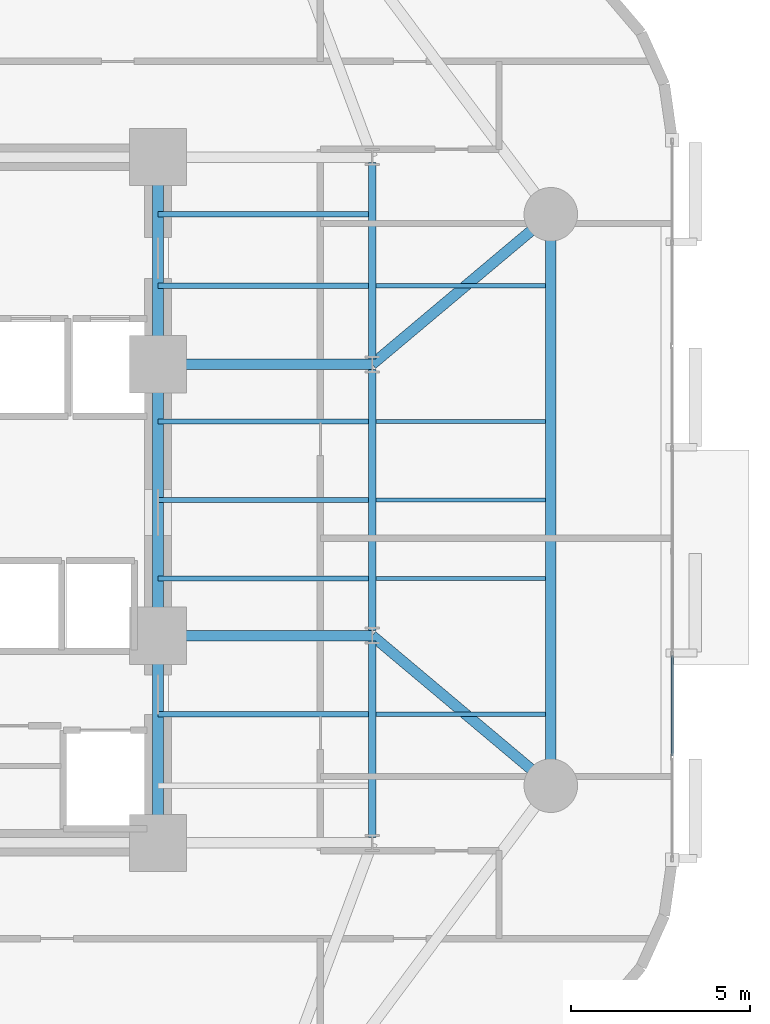
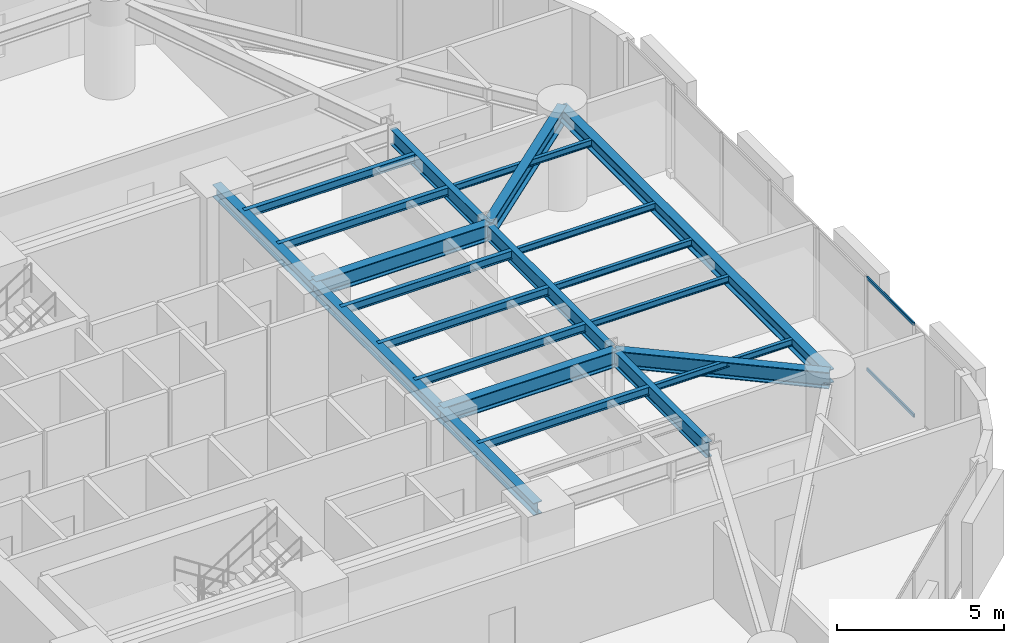
# One storey, part 5 of 16: 22 beams, 2 members, 1 element without a shape of its own.
"""IFC4 building model written with IfcOpenShell, lengths in metres."""

from ifc_helpers import new_model, si_unit, direction, frame, origin, origin_2d, place, context, subcontext, project, spatial, hollow_rectangle, i_section, extrude, material, layer, layer_set, material_profile, profile_set, type_object, element, aggregate, save


model = new_model("IFC4")

# Units and contexts
model_context = context("Model", 3, precision=1e-05, world=origin(), true_north=direction((0.0, 1.0)))
body_context = subcontext(model_context, "Body", "Model", "MODEL_VIEW")
ifc_project = project(units=[si_unit("LENGTHUNIT", "METRE"), si_unit("AREAUNIT", "SQUARE_METRE"), si_unit("VOLUMEUNIT", "CUBIC_METRE"), si_unit("PLANEANGLEUNIT", "RADIAN"), si_unit("MASSUNIT", "GRAM", prefix="KILO")], contexts=[model_context])

# Site, building, storey
site_placement = place(None, origin())
site = spatial("IfcSite", under=ifc_project, at=site_placement, CompositionType="ELEMENT")
building_placement = place(site_placement, origin())
building = spatial("IfcBuilding", under=site, at=building_placement, Name="An Khanh Terracotta Commons", CompositionType="ELEMENT")
storey_placement = place(building_placement, frame((0.0, 0.0, 39.60009765625)))
storey = spatial("IfcBuildingStorey", under=building, at=storey_placement, Name="L10", CompositionType="ELEMENT", Elevation=39.60009765625)

# Beams
ifc_material_1 = material(Name="Steel S355J2", Category="steel")
ifc_material_profile_1 = material_profile(ifc_material_1, i_section(OverallWidth=0.300048828125, OverallDepth=0.449951171875, WebThickness=0.013916015625, FlangeThickness=0.02587890625, FilletRadius=0.027099609375, at=origin_2d()), Name="HEB450")
ifc_profile_set_1 = profile_set([ifc_material_profile_1], Name="Steel S355J2")
beam_type_1 = type_object("IfcBeamType", Name="BM-HEB450", PredefinedType="BEAM", material=ifc_profile_set_1)
beam_1_placement = place(storey_placement, frame((37.199951171875, 14.39990234375, 3.1748046875), z_axis=(0.0, 1.0, 0.0), x_axis=(-1.0, 0.0, 0.0)))
element("IfcBeam", 1, at=beam_1_placement, inside=storey, type_object=beam_type_1, Name="L10 Core East Coupling Girder 1", PredefinedType="BEAM", context=body_context, shape_type="SweptSolid", body=[
    extrude(i_section(OverallWidth=0.300048828125, OverallDepth=0.449951171875, WebThickness=0.013916015625, FlangeThickness=0.02587890625, FilletRadius=0.027099609375, at=origin_2d()), origin(), (0.0, 0.0, 1.0), 5.800048828125),
])
beam_2_placement = place(storey_placement, frame((37.199951171875, 20.199951171875, 3.1748046875), z_axis=(0.0, 1.0, 0.0), x_axis=(-1.0, 0.0, 0.0)))
element("IfcBeam", 2, at=beam_2_placement, inside=storey, type_object=beam_type_1, Name="L10 Core East Coupling Girder 2", PredefinedType="BEAM", context=body_context, shape_type="SweptSolid", body=[
    extrude(i_section(OverallWidth=0.300048828125, OverallDepth=0.449951171875, WebThickness=0.013916015625, FlangeThickness=0.02587890625, FilletRadius=0.027099609375, at=origin_2d()), origin(), (0.0, 0.0, 1.0), 7.60009765625),
])
beam_3_placement = place(storey_placement, frame((37.199951171875, 27.800048828125, 3.1748046875), z_axis=(0.0, 1.0, 0.0), x_axis=(-1.0, 0.0, 0.0)))
element("IfcBeam", 3, at=beam_3_placement, inside=storey, type_object=beam_type_1, Name="L10 Core East Coupling Girder 3", PredefinedType="BEAM", context=body_context, shape_type="SweptSolid", body=[
    extrude(i_section(OverallWidth=0.300048828125, OverallDepth=0.449951171875, WebThickness=0.013916015625, FlangeThickness=0.02587890625, FilletRadius=0.027099609375, at=origin_2d()), origin(), (0.0, 0.0, 1.0), 5.800048828125),
])
ifc_material_profile_2 = material_profile(ifc_material_1, i_section(OverallWidth=0.300048828125, OverallDepth=0.5, WebThickness=0.014404296875, FlangeThickness=0.028076171875, FilletRadius=0.027099609375, at=origin_2d()), Name="HEB500")
ifc_profile_set_2 = profile_set([ifc_material_profile_2], Name="Steel S355J2")
beam_type_2 = type_object("IfcBeamType", Name="BM-HEB500", PredefinedType="BEAM", material=ifc_profile_set_2)
beam_4_placement = place(storey_placement, frame((48.199951171875, 16.0, 3.14990234375), z_axis=(0.0, 1.0, 0.0), x_axis=(-1.0, 0.0, 0.0)))
element("IfcBeam", 4, at=beam_4_placement, inside=storey, type_object=beam_type_2, Name="L10 Perimeter Ring Spandrel 3", PredefinedType="BEAM", context=body_context, shape_type="SweptSolid", body=[
    extrude(i_section(OverallWidth=0.300048828125, OverallDepth=0.5, WebThickness=0.014404296875, FlangeThickness=0.028076171875, FilletRadius=0.027099609375, at=origin_2d()), origin(), (0.0, 0.0, 1.0), 16.0),
])
ifc_material_profile_3 = material_profile(ifc_material_1, i_section(OverallWidth=0.300048828125, OverallDepth=0.60009765625, WebThickness=0.015380859375, FlangeThickness=0.030029296875, FilletRadius=0.027099609375, at=origin_2d()), Name="HEB600")
ifc_profile_set_3 = profile_set([ifc_material_profile_3], Name="Steel S355J2")
beam_type_3 = type_object("IfcBeamType", Name="BM-HEB600", PredefinedType="BEAM", material=ifc_profile_set_3)
for number, where, z_axis, x_axis, name in (
    (5, (37.199951171875, 20.199951171875, 3.099853515625), (1.0, 0.0, 0.0), (0.0, 1.0, 0.0), "L10 East Primary Floor Girder 2"),
    (6, (37.199951171875, 27.800048828125, 3.099853515625), (1.0, 0.0, 0.0), (0.0, 1.0, 0.0), "L10 East Primary Floor Girder 3"),
):
    element("IfcBeam", number, at=place(storey_placement, frame(where, z_axis=z_axis, x_axis=x_axis)), inside=storey, type_object=beam_type_3, Name=name, PredefinedType="BEAM", context=body_context, shape_type="SweptSolid", body=[
        extrude(i_section(OverallWidth=0.300048828125, OverallDepth=0.60009765625, WebThickness=0.015380859375, FlangeThickness=0.030029296875, FilletRadius=0.027099609375, at=origin_2d()), origin(), (0.0, 0.0, 1.0), 6.0),
    ])
for number, where, z_axis, x_axis, name in (
    (7, (48.199951171875, 16.0, 3.099853515625), (-0.765708547471, 0.643187702253, 0.0), (-0.643187702253, -0.765708547471, 0.0), "L10 Mega-Column Tie Girder 3"),
    (8, (48.199951171875, 32.0, 3.099853515625), (-0.765708547471, -0.643187702253, 0.0), (0.643187702253, -0.765708547471, 0.0), "L10 Mega-Column Tie Girder 4"),
):
    element("IfcBeam", number, at=place(storey_placement, frame(where, z_axis=z_axis, x_axis=x_axis)), inside=storey, type_object=beam_type_3, Name=name, PredefinedType="BEAM", context=body_context, shape_type="SweptSolid", body=[
        extrude(i_section(OverallWidth=0.300048828125, OverallDepth=0.60009765625, WebThickness=0.015380859375, FlangeThickness=0.030029296875, FilletRadius=0.027099609375, at=origin_2d()), origin(), (0.0, 0.0, 1.0), 6.52978515625),
    ])
ifc_material_profile_4 = material_profile(ifc_material_1, i_section(OverallWidth=0.1201171875, OverallDepth=0.239990234375, WebThickness=0.006103515625, FlangeThickness=0.009765625, FilletRadius=0.014892578125, at=origin_2d()), Name="IPE240")
ifc_profile_set_4 = profile_set([ifc_material_profile_4], Name="Steel S355J2")
beam_type_4 = type_object("IfcBeamType", Name="BM-IPE240", PredefinedType="JOIST", material=ifc_profile_set_4)
for number, where, z_axis, x_axis, name in (
    (9, (43.304931640625, 18.0, 3.27978515625), (1.0, 0.0, 0.0), (0.0, 1.0, 0.0), "L10 Riverfront Composite Joist 2"),
    (10, (43.304931640625, 21.800048828125, 3.27978515625), (1.0, 0.0, 0.0), (0.0, 1.0, 0.0), "L10 Riverfront Composite Joist 3"),
    (11, (43.304931640625, 24.0, 3.27978515625), (1.0, 0.0, 0.0), (0.0, 1.0, 0.0), "L10 Riverfront Composite Joist 4"),
    (12, (43.304931640625, 26.199951171875, 3.27978515625), (1.0, 0.0, 0.0), (0.0, 1.0, 0.0), "L10 Riverfront Composite Joist 5"),
    (13, (43.304931640625, 30.0, 3.27978515625), (1.0, 0.0, 0.0), (0.0, 1.0, 0.0), "L10 Riverfront Composite Joist 6"),
):
    element("IfcBeam", number, at=place(storey_placement, frame(where, z_axis=z_axis, x_axis=x_axis)), inside=storey, type_object=beam_type_4, Name=name, PredefinedType="JOIST", context=body_context, shape_type="SweptSolid", body=[
        extrude(i_section(OverallWidth=0.1201171875, OverallDepth=0.239990234375, WebThickness=0.006103515625, FlangeThickness=0.009765625, FilletRadius=0.014892578125, at=origin_2d()), origin(), (0.0, 0.0, 1.0), 4.7451171875),
    ])
ifc_material_profile_5 = material_profile(ifc_material_1, i_section(OverallWidth=0.14990234375, OverallDepth=0.300048828125, WebThickness=0.007080078125, FlangeThickness=0.0107421875, FilletRadius=0.014892578125, at=origin_2d()), Name="IPE300")
ifc_profile_set_5 = profile_set([ifc_material_profile_5], Name="Steel S355J2")
beam_type_5 = type_object("IfcBeamType", Name="BM-IPE300", PredefinedType="JOIST", material=ifc_profile_set_5)
for number, where, z_axis, x_axis, name in (
    (14, (37.199951171875, 18.0, 3.25), (1.0, 0.0, 0.0), (0.0, 1.0, 0.0), "L10 Inboard Composite Joist 2"),
    (15, (37.199951171875, 21.800048828125, 3.25), (1.0, 0.0, 0.0), (0.0, 1.0, 0.0), "L10 Inboard Composite Joist 3"),
    (16, (37.199951171875, 24.0, 3.25), (1.0, 0.0, 0.0), (0.0, 1.0, 0.0), "L10 Inboard Composite Joist 4"),
    (17, (37.199951171875, 26.199951171875, 3.25), (1.0, 0.0, 0.0), (0.0, 1.0, 0.0), "L10 Inboard Composite Joist 5"),
    (18, (37.199951171875, 30.0, 3.25), (1.0, 0.0, 0.0), (0.0, 1.0, 0.0), "L10 Inboard Composite Joist 6"),
    (19, (37.199951171875, 32.0, 3.25), (1.0, 0.0, 0.0), (0.0, 1.0, 0.0), "L10 Inboard Composite Joist 7"),
):
    element("IfcBeam", number, at=place(storey_placement, frame(where, z_axis=z_axis, x_axis=x_axis)), inside=storey, type_object=beam_type_5, Name=name, PredefinedType="JOIST", context=body_context, shape_type="SweptSolid", body=[
        extrude(i_section(OverallWidth=0.14990234375, OverallDepth=0.300048828125, WebThickness=0.007080078125, FlangeThickness=0.0107421875, FilletRadius=0.014892578125, at=origin_2d()), origin(), (0.0, 0.0, 1.0), 5.89501953125),
    ])
ifc_material_profile_6 = material_profile(ifc_material_1, i_section(OverallWidth=0.2099609375, OverallDepth=0.550048828125, WebThickness=0.010986328125, FlangeThickness=0.01708984375, FilletRadius=0.02392578125, at=origin_2d()), Name="IPE550")
ifc_profile_set_6 = profile_set([ifc_material_profile_6], Name="Steel S355J2")
beam_type_6 = type_object("IfcBeamType", Name="BM-IPE550", PredefinedType="BEAM", material=ifc_profile_set_6)
beam_5_placement = place(storey_placement, frame((43.199951171875, 14.550048828125, 3.125), z_axis=(0.0, 1.0, 0.0), x_axis=(-1.0, 0.0, 0.0)))
element("IfcBeam", 20, at=beam_5_placement, inside=storey, type_object=beam_type_6, Name="L10 East Spine Girder 1", PredefinedType="BEAM", context=body_context, shape_type="SweptSolid", body=[
    extrude(i_section(OverallWidth=0.2099609375, OverallDepth=0.550048828125, WebThickness=0.010986328125, FlangeThickness=0.01708984375, FilletRadius=0.02392578125, at=origin_2d()), origin(), (0.0, 0.0, 1.0), 5.5),
])
beam_6_placement = place(storey_placement, frame((43.199951171875, 20.35009765625, 3.125), z_axis=(0.0, 1.0, 0.0), x_axis=(-1.0, 0.0, 0.0)))
element("IfcBeam", 21, at=beam_6_placement, inside=storey, type_object=beam_type_6, Name="L10 East Spine Girder 2", PredefinedType="BEAM", context=body_context, shape_type="SweptSolid", body=[
    extrude(i_section(OverallWidth=0.2099609375, OverallDepth=0.550048828125, WebThickness=0.010986328125, FlangeThickness=0.01708984375, FilletRadius=0.02392578125, at=origin_2d()), origin(), (0.0, 0.0, 1.0), 7.2998046875),
])
beam_7_placement = place(storey_placement, frame((43.199951171875, 27.949951171875, 3.125), z_axis=(0.0, 1.0, 0.0), x_axis=(-1.0, 0.0, 0.0)))
element("IfcBeam", 22, at=beam_7_placement, inside=storey, type_object=beam_type_6, Name="L10 East Spine Girder 3", PredefinedType="BEAM", context=body_context, shape_type="SweptSolid", body=[
    extrude(i_section(OverallWidth=0.2099609375, OverallDepth=0.550048828125, WebThickness=0.010986328125, FlangeThickness=0.01708984375, FilletRadius=0.02392578125, at=origin_2d()), origin(), (0.0, 0.0, 1.0), 5.5),
])

# Curtain wall, members
ifc_material_2 = material(Name="Anodised Aluminium 6063-T6", Category="aluminium")
ifc_layer = layer(ifc_material_2, 0.199951171875, Name="Anodised Aluminium 6063-T6")
ifc_layer_set = layer_set([ifc_layer], Name="Anodised Aluminium 6063-T6")
curtain_wall_type = type_object("IfcCurtainWallType", Name="CW-SYS-02", PredefinedType="USERDEFINED", material=ifc_layer_set)
curtain_wall_placement = place(storey_placement, origin())
curtain_wall = element("IfcCurtainWall", 23, at=curtain_wall_placement, inside=storey, type_object=curtain_wall_type, Name="L10 CW-02 Unitised Curtain Wall CW-L10-12", ObjectType="UNITISED CURTAIN WALL", PredefinedType="USERDEFINED")
ifc_material_profile_7 = material_profile(ifc_material_2, hollow_rectangle(XDim=0.06005859375, YDim=0.1201171875, WallThickness=0.003662109375, InnerFilletRadius=0.003662109375, OuterFilletRadius=0.007080078125, at=origin_2d()), Name="RHS120x60x3.6")
ifc_profile_set_7 = profile_set([ifc_material_profile_7], Name="Anodised Aluminium 6063-T6")
member_type = type_object("IfcMemberType", Name="CWT-RHS120x60x3.6", PredefinedType="USERDEFINED", material=ifc_profile_set_7)
member_1_placement = place(storey_placement, frame((51.60009765625, 16.837158203125, 0.02978515625), z_axis=(0.0, 1.0, 0.0), x_axis=(-1.0, 0.0, 0.0)))
member_1 = element("IfcMember", 24, at=member_1_placement, type_object=member_type, Name="CW-02 transom 2.1", ObjectType="TRANSOM", PredefinedType="USERDEFINED", context=body_context, shape_type="SweptSolid", body=[
    extrude(hollow_rectangle(XDim=0.06005859375, YDim=0.1201171875, WallThickness=0.003662109375, InnerFilletRadius=0.003662109375, OuterFilletRadius=0.007080078125, at=origin_2d()), origin(), (0.0, 0.0, 1.0), 2.80908203125),
])
member_2_placement = place(storey_placement, frame((51.60009765625, 16.837158203125, 3.369873046875), z_axis=(0.0, 1.0, 0.0), x_axis=(-1.0, 0.0, 0.0)))
member_2 = element("IfcMember", 25, at=member_2_placement, type_object=member_type, Name="CW-02 transom 2.2", ObjectType="TRANSOM", PredefinedType="USERDEFINED", context=body_context, shape_type="SweptSolid", body=[
    extrude(hollow_rectangle(XDim=0.06005859375, YDim=0.1201171875, WallThickness=0.003662109375, InnerFilletRadius=0.003662109375, OuterFilletRadius=0.007080078125, at=origin_2d()), origin(), (0.0, 0.0, 1.0), 2.80908203125),
])
aggregate(curtain_wall, [member_1, member_2])

save(model, "model.ifc")
